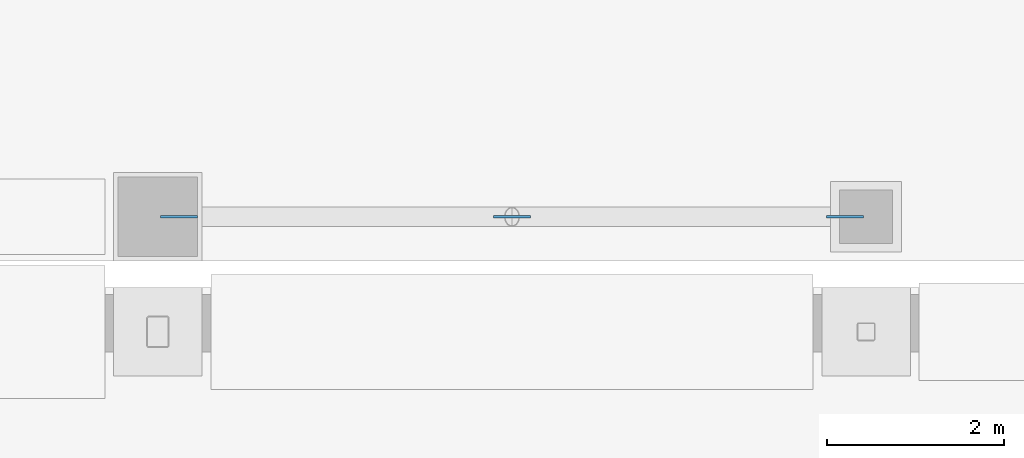
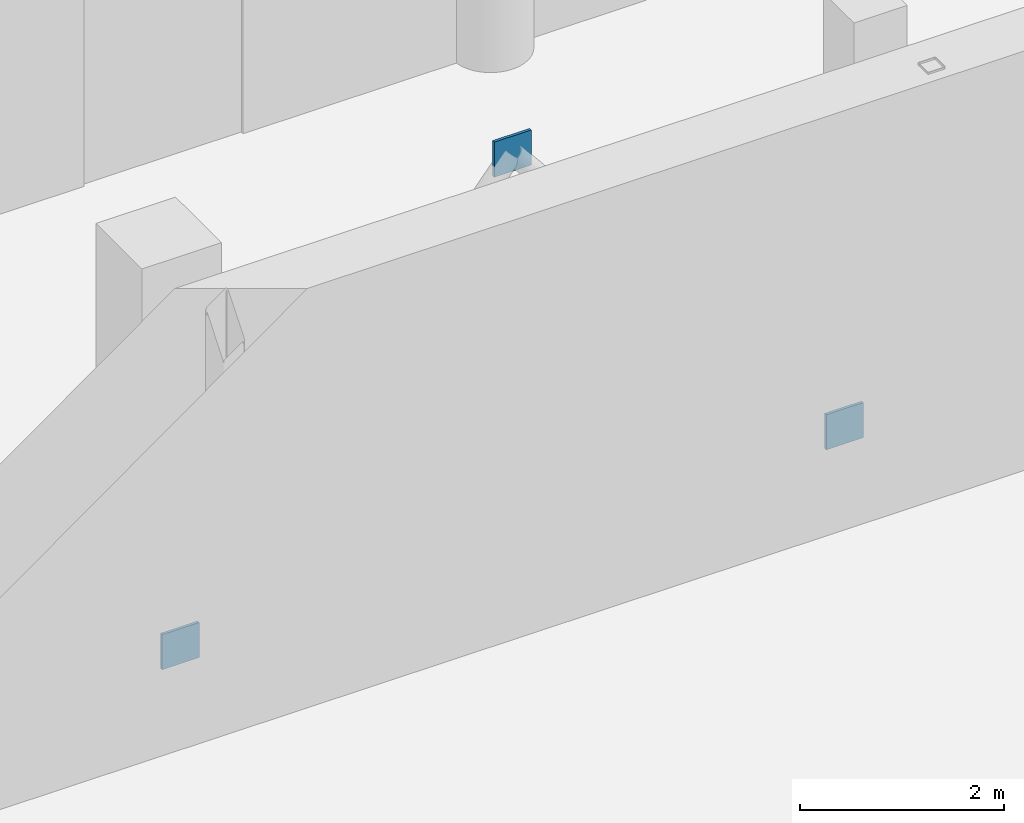
# One storey, part 29 of 33: 3 discrete accessories.
"""IFC4 building model written with IfcOpenShell, lengths in metres."""

from ifc_helpers import new_model, si_unit, direction, frame, origin, origin_2d, place, context, subcontext, project, spatial, rectangle, extrude, material, type_object, element, save


model = new_model("IFC4")

# Units and contexts
model_context = context("Model", 3, precision=1e-05, world=origin(), true_north=direction((0.0, 1.0)))
body_context = subcontext(model_context, "Body", "Model", "MODEL_VIEW")
ifc_project = project(units=[si_unit("LENGTHUNIT", "METRE"), si_unit("AREAUNIT", "SQUARE_METRE"), si_unit("VOLUMEUNIT", "CUBIC_METRE"), si_unit("PLANEANGLEUNIT", "RADIAN"), si_unit("MASSUNIT", "GRAM", prefix="KILO")], contexts=[model_context])

# Site, building, storey
site_placement = place(None, origin())
site = spatial("IfcSite", under=ifc_project, at=site_placement, CompositionType="ELEMENT")
building_placement = place(site_placement, origin())
building = spatial("IfcBuilding", under=site, at=building_placement, Name="Brisemont Oceanarium", CompositionType="ELEMENT")
storey_placement = place(building_placement, frame((0.0, 0.0, -5.39990234375)))
storey = spatial("IfcBuildingStorey", under=building, at=storey_placement, Name="B01", CompositionType="ELEMENT", Elevation=-5.39990234375)

# Discrete accessories
ifc_material = material(Name="Structural Steel ASTM A572 Gr.50", Category="steel")
discrete_accessory_type = type_object("IfcDiscreteAccessoryType", Name="ACC-CAP-STL", PredefinedType="ANCHORPLATE", material=ifc_material)
for number, where, z_axis, x_axis, name in (
    (1, (88.239990234375, 80.64990234375, -0.18994140625), (0.0, 0.0, 1.0), (1.0, 0.0, 0.0), "V7E B01 chevron brace gusset connection WL"),
    (2, (95.760009765625, 80.64990234375, -0.18994140625), (0.0, 0.0, 1.0), (1.0, 0.0, 0.0), "V7E B01 chevron brace gusset connection ER"),
    (3, (92.0, 80.64990234375, 4.389892578125), (0.0, 0.0, 1.0), (1.0, 0.0, 0.0), "V7E B01 chevron brace gusset connection AP"),
):
    element("IfcDiscreteAccessory", number, at=place(storey_placement, frame(where, z_axis=z_axis, x_axis=x_axis)), inside=storey, type_object=discrete_accessory_type, Name=name, PredefinedType="ANCHORPLATE", context=body_context, shape_type="SweptSolid", body=[
        extrude(rectangle(XDim=0.419921875, YDim=0.031982421875, at=origin_2d()), origin(), (0.0, 0.0, 1.0), 0.419921875),
    ])

save(model, "model.ifc")
